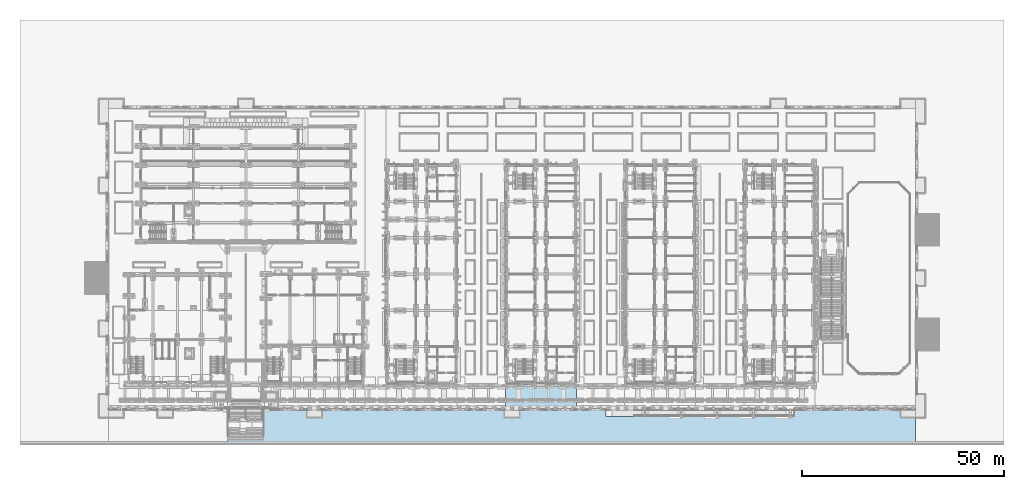
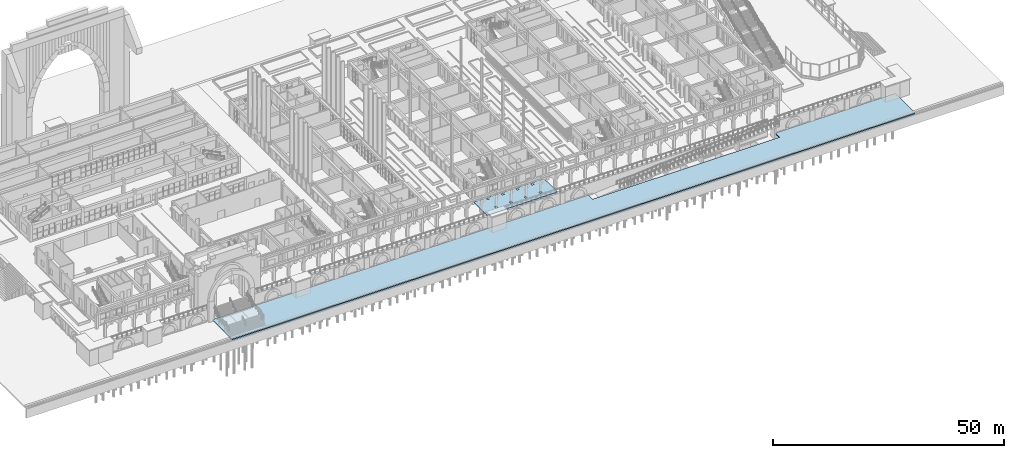
# One storey, part 45 of 161: 2 slabs.
"""IFC4 building model written with IfcOpenShell, lengths in metres."""

from ifc_helpers import new_model, si_unit, direction, frame, origin, place, context, subcontext, project, spatial, polyline, outline, extrude, material, layer, layer_set, type_object, element, save


model = new_model("IFC4")

# Units and contexts
model_context = context("Model", 3, precision=1e-05, world=origin(), true_north=direction((0.0, 1.0)))
body_context = subcontext(model_context, "Body", "Model", "MODEL_VIEW")
ifc_project = project(units=[si_unit("LENGTHUNIT", "METRE"), si_unit("AREAUNIT", "SQUARE_METRE"), si_unit("VOLUMEUNIT", "CUBIC_METRE"), si_unit("PLANEANGLEUNIT", "RADIAN"), si_unit("MASSUNIT", "GRAM", prefix="KILO")], contexts=[model_context])

# Site, building, storey
site_placement = place(None, origin())
site = spatial("IfcSite", under=ifc_project, at=site_placement, CompositionType="ELEMENT")
building_placement = place(site_placement, origin())
building = spatial("IfcBuilding", under=site, at=building_placement, Name="Elbe Cascade School", CompositionType="ELEMENT")
storey_placement = place(building_placement, origin())
storey = spatial("IfcBuildingStorey", under=building, at=storey_placement, Name="L00", CompositionType="ELEMENT", Elevation=0.0)

# Slabs
ifc_material_1 = material(Name="Concrete C30/37", Category="concrete")
ifc_layer_1 = layer(ifc_material_1, 0.199951171875)
ifc_layer_set_1 = layer_set([ifc_layer_1], Name="Concrete C30/37")
slab_type_1 = type_object("IfcSlabType", Name="Paving slab 200", PredefinedType="BASESLAB", material=ifc_layer_set_1)
slab_1_placement = place(storey_placement, frame((0.0, 0.0, -0.199951171875)))
element("IfcSlab", 1, at=slab_1_placement, inside=storey, type_object=slab_type_1, Name="Colonnade walk paving east of the lane 3", PredefinedType="BASESLAB", context=body_context, shape_type="SweptSolid", body=[
    extrude(outline(polyline([(98.35009765625, 0.0), (115.949951171875, 0.0), (115.949951171875, 5.75), (115.449951171875, 5.75), (108.75, 5.75), (108.25, 5.75), (106.050048828125, 5.75), (105.550048828125, 5.75), (98.85009765625, 5.75), (98.35009765625, 5.75), (98.35009765625, 0.0)]), holes=[polyline([(101.864990234375, 1.989990234375), (101.864990234375, 1.4599609375), (101.3349609375, 1.4599609375), (101.3349609375, 1.989990234375), (101.864990234375, 1.989990234375)]), polyline([(101.864990234375, 5.010009765625), (101.3349609375, 5.010009765625), (101.3349609375, 5.5400390625), (101.864990234375, 5.5400390625), (101.864990234375, 5.010009765625)]), polyline([(105.034912109375, 1.4599609375), (105.034912109375, 1.989990234375), (105.56494140625, 1.989990234375), (105.56494140625, 1.4599609375), (105.034912109375, 1.4599609375)]), polyline([(105.034912109375, 5.5400390625), (105.56494140625, 5.5400390625), (105.56494140625, 5.010009765625), (105.034912109375, 5.010009765625), (105.034912109375, 5.5400390625)]), polyline([(109.264892578125, 1.989990234375), (109.264892578125, 1.4599609375), (108.735107421875, 1.4599609375), (108.735107421875, 1.989990234375), (109.264892578125, 1.989990234375)]), polyline([(109.264892578125, 5.010009765625), (108.735107421875, 5.010009765625), (108.735107421875, 5.5400390625), (109.264892578125, 5.5400390625), (109.264892578125, 5.010009765625)]), polyline([(112.43505859375, 1.4599609375), (112.43505859375, 1.989990234375), (112.965087890625, 1.989990234375), (112.965087890625, 1.4599609375), (112.43505859375, 1.4599609375)]), polyline([(112.43505859375, 5.5400390625), (112.965087890625, 5.5400390625), (112.965087890625, 5.010009765625), (112.43505859375, 5.010009765625), (112.43505859375, 5.5400390625)])]), origin(), (0.0, 0.0, 1.0), 0.199951171875),
])
ifc_material_2 = material(Name="Concrete C30/37", Category="concrete")
ifc_layer_2 = layer(ifc_material_2, 0.300048828125)
ifc_layer_set_2 = layer_set([ifc_layer_2], Name="Concrete C30/37")
slab_type_2 = type_object("IfcSlabType", Name="Promenade slab 300", PredefinedType="BASESLAB", material=ifc_layer_set_2)
slab_2_placement = place(storey_placement, frame((0.0, 0.0, -3.39990234375)))
element("IfcSlab", 2, at=slab_2_placement, inside=storey, type_object=slab_type_2, Name="Lower promenade slab east 1", PredefinedType="BASESLAB", context=body_context, shape_type="SweptSolid", body=[
    extrude(outline(polyline([(170.0, -0.5), (170.0, -2.300048828125), (123.300048828125, -2.300048828125), (123.300048828125, -0.5), (29.5, -0.5), (29.5, -9.0), (200.0, -9.0), (200.0, -0.5), (170.0, -0.5)])), origin(), (0.0, 0.0, 1.0), 0.2998046875),
])

save(model, "model.ifc")
